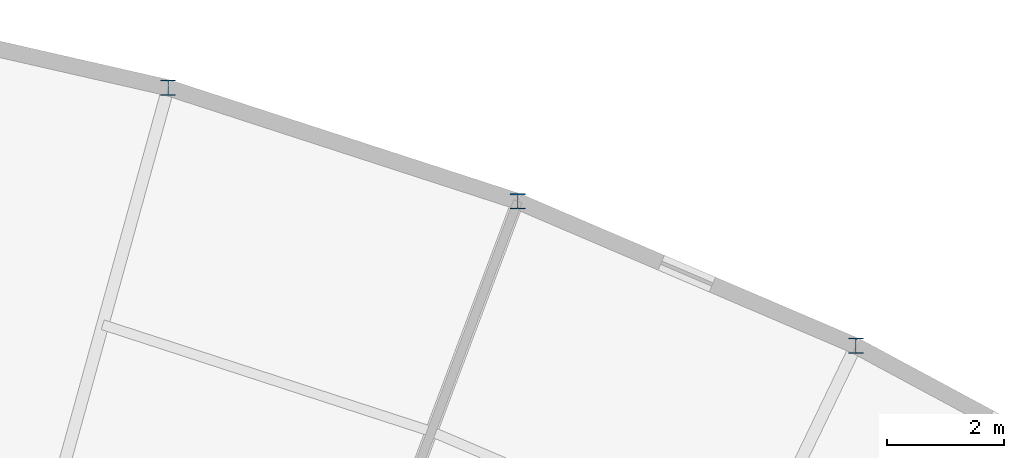
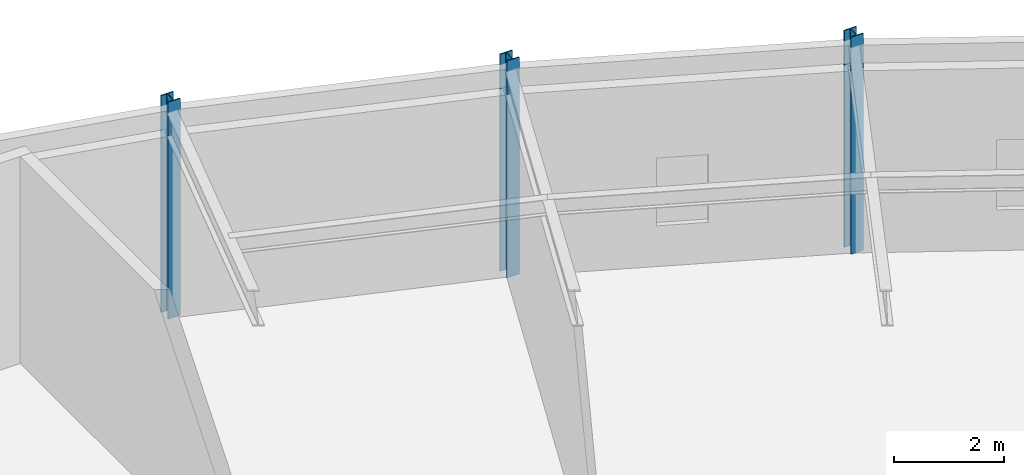
# One storey, part 16 of 116: 3 columns.
"""IFC4 building model written with IfcOpenShell, lengths in metres."""

from ifc_helpers import new_model, si_unit, direction, frame, origin, origin_2d, place, context, subcontext, project, spatial, i_section, extrude, material, material_profile, profile_set, type_object, element, save


model = new_model("IFC4")

# Units and contexts
model_context = context("Model", 3, precision=1e-05, world=origin(), true_north=direction((0.0, 1.0)))
body_context = subcontext(model_context, "Body", "Model", "MODEL_VIEW")
ifc_project = project(units=[si_unit("LENGTHUNIT", "METRE"), si_unit("AREAUNIT", "SQUARE_METRE"), si_unit("VOLUMEUNIT", "CUBIC_METRE"), si_unit("PLANEANGLEUNIT", "RADIAN"), si_unit("MASSUNIT", "GRAM", prefix="KILO")], contexts=[model_context])

# Site, building, storey
site_placement = place(None, origin())
site = spatial("IfcSite", under=ifc_project, at=site_placement, CompositionType="ELEMENT")
building_placement = place(site_placement, origin())
building = spatial("IfcBuilding", under=site, at=building_placement, Name="Selat Folded Stagehouse", CompositionType="ELEMENT")
storey_placement = place(building_placement, frame((0.0, 0.0, 5.39990234375)))
storey = spatial("IfcBuildingStorey", under=building, at=storey_placement, Name="L01", CompositionType="ELEMENT", Elevation=5.39990234375)

# Columns
ifc_material = material(Name="Steel S355", Category="steel")
ifc_material_profile = material_profile(ifc_material, i_section(OverallWidth=0.2587890625, OverallDepth=0.2666015625, WebThickness=0.0126953125, FlangeThickness=0.0205078125, FilletRadius=0.0126953125, at=origin_2d()), Name="UKC 254x254x107")
ifc_profile_set = profile_set([ifc_material_profile], Name="Steel S355")
column_type = type_object("IfcColumnType", Name="COL-UKC-254x254x107", PredefinedType="COLUMN", material=ifc_profile_set)
for number, where, z_axis, x_axis, name in (
    (1, (111.022705078125, 105.477294921875, 0.0), (0.0, 0.0, 1.0), (1.0, 0.0, 0.0), "L01 column STK-V6OUT-10"),
    (2, (116.99609375, 103.536376953125, 0.0), (0.0, 0.0, 1.0), (1.0, 0.0, 0.0), "L01 column STK-V6OUT-11"),
    (3, (122.77197265625, 101.06787109375, 0.0), (0.0, 0.0, 1.0), (1.0, 0.0, 0.0), "L01 column STK-V6OUT-12"),
):
    element("IfcColumn", number, at=place(storey_placement, frame(where, z_axis=z_axis, x_axis=x_axis)), inside=storey, type_object=column_type, Name=name, PredefinedType="COLUMN", context=body_context, shape_type="SweptSolid", body=[
        extrude(i_section(OverallWidth=0.2587890625, OverallDepth=0.2666015625, WebThickness=0.0126953125, FlangeThickness=0.0205078125, FilletRadius=0.0126953125, at=origin_2d()), origin(), (0.0, 0.0, 1.0), 4.800048828125),
    ])

save(model, "model.ifc")
